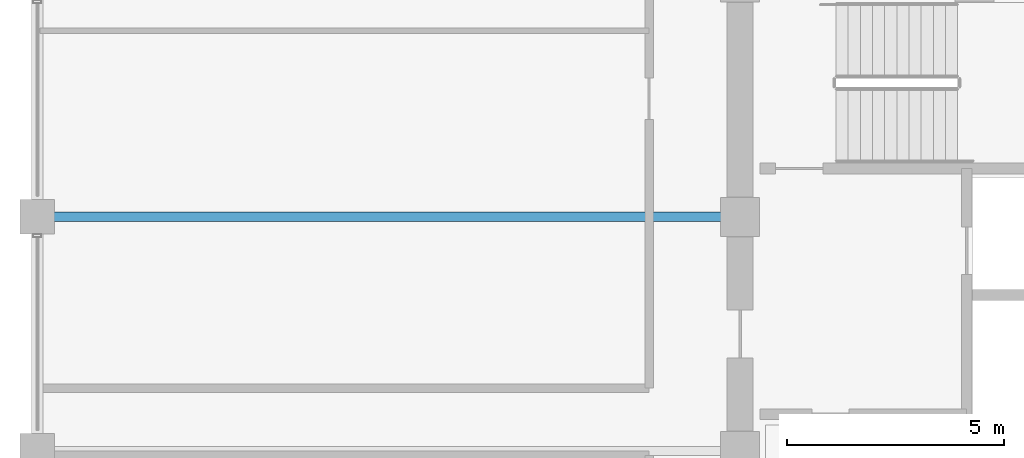
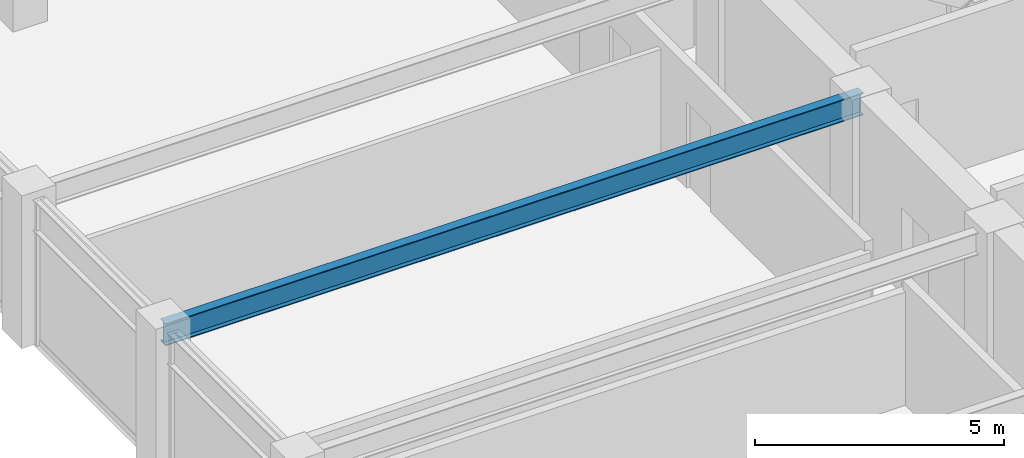
# One storey, part 11 of 32: 1 beam.
"""IFC4 building model written with IfcOpenShell, lengths in metres."""

from ifc_helpers import new_model, si_unit, direction, frame, origin, origin_2d, place, context, subcontext, project, spatial, i_section, extrude, material, material_profile, profile_set, type_object, element, save


model = new_model("IFC4")

# Units and contexts
model_context = context("Model", 3, precision=1e-05, world=origin(), true_north=direction((0.0, 1.0)))
body_context = subcontext(model_context, "Body", "Model", "MODEL_VIEW")
ifc_project = project(units=[si_unit("LENGTHUNIT", "METRE"), si_unit("AREAUNIT", "SQUARE_METRE"), si_unit("VOLUMEUNIT", "CUBIC_METRE"), si_unit("PLANEANGLEUNIT", "RADIAN"), si_unit("MASSUNIT", "GRAM", prefix="KILO")], contexts=[model_context])

# Site, building, storey
site_placement = place(None, origin())
site = spatial("IfcSite", under=ifc_project, at=site_placement, CompositionType="ELEMENT")
building_placement = place(site_placement, origin())
building = spatial("IfcBuilding", under=site, at=building_placement, Name="Surkhivell Harbour Commons", CompositionType="ELEMENT")
storey_placement = place(building_placement, frame((0.0, 0.0, 216.0)))
storey = spatial("IfcBuildingStorey", under=building, at=storey_placement, Name="L56", CompositionType="ELEMENT", Elevation=216.0)

# Beam
ifc_material = material(Name="Steel S355", Category="steel")
ifc_material_profile = material_profile(ifc_material, i_section(OverallWidth=0.2119140625, OverallDepth=0.5439453125, WebThickness=0.0126953125, FlangeThickness=0.021240234375, at=origin_2d()), Name="UB533x210x122")
ifc_profile_set = profile_set([ifc_material_profile], Name="Steel S355")
beam_type = type_object("IfcBeamType", Name="BM-GRD-533A", PredefinedType="BEAM", material=ifc_profile_set)
beam_placement = place(storey_placement, frame((-27.0, 5.39990234375, 3.298095703125), z_axis=(1.0, 0.0, 0.0), x_axis=(0.0, 1.0, 0.0)))
element("IfcBeam", 1, at=beam_placement, inside=storey, type_object=beam_type, Name="L56 Floor Girder (-27.0,5.4)", PredefinedType="BEAM", context=body_context, shape_type="SweptSolid", body=[
    extrude(i_section(OverallWidth=0.2119140625, OverallDepth=0.5439453125, WebThickness=0.0126953125, FlangeThickness=0.021240234375, at=origin_2d()), origin(), (0.0, 0.0, 1.0), 16.199951171875),
])

save(model, "model.ifc")
